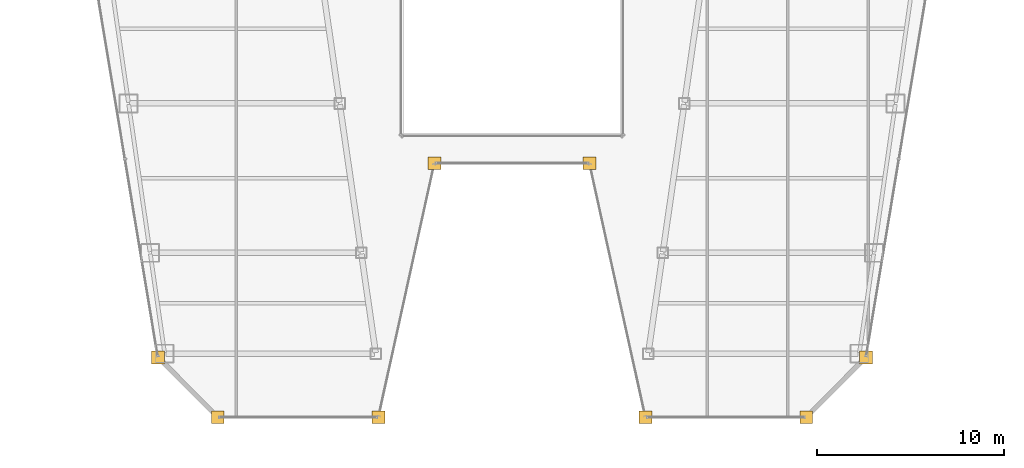
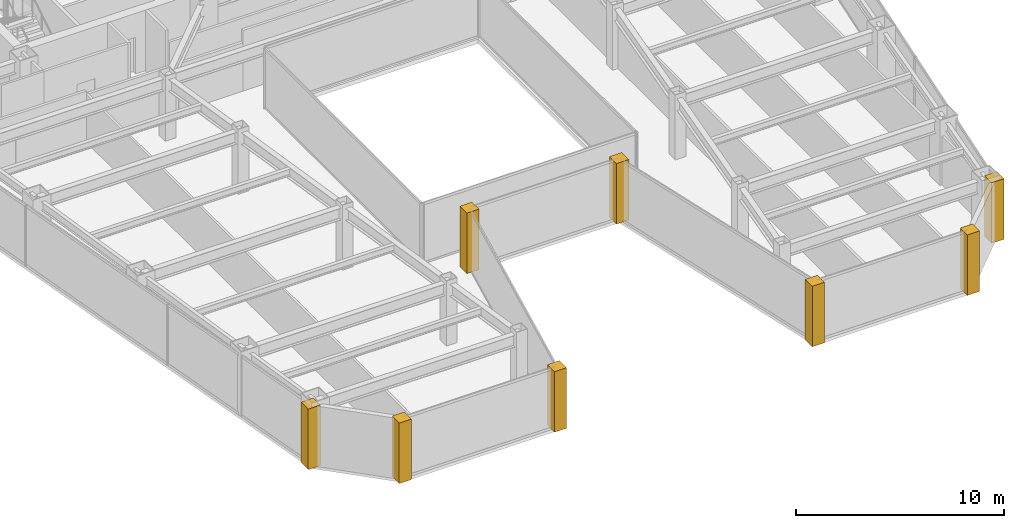
# One storey, part 35 of 37: 8 coverings.
"""IFC4 building model written with IfcOpenShell, lengths in metres."""

from ifc_helpers import new_model, si_unit, direction, frame, origin, place, context, subcontext, project, spatial, polyline, outline, extrude, material, layer, layer_set, type_object, element, save


model = new_model("IFC4")

# Units and contexts
model_context = context("Model", 3, precision=1e-05, world=origin(), true_north=direction((0.0, 1.0)))
body_context = subcontext(model_context, "Body", "Model", "MODEL_VIEW")
ifc_project = project(units=[si_unit("LENGTHUNIT", "METRE"), si_unit("AREAUNIT", "SQUARE_METRE"), si_unit("VOLUMEUNIT", "CUBIC_METRE"), si_unit("PLANEANGLEUNIT", "RADIAN"), si_unit("MASSUNIT", "GRAM", prefix="KILO")], contexts=[model_context])

# Site, building, storey
site_placement = place(None, origin())
site = spatial("IfcSite", under=ifc_project, at=site_placement, CompositionType="ELEMENT")
building_placement = place(site_placement, origin())
building = spatial("IfcBuilding", under=site, at=building_placement, Name="Saevonmaru Cultural Tower", CompositionType="ELEMENT")
storey_placement = place(building_placement, frame((0.0, 0.0, 141.0)))
storey = spatial("IfcBuildingStorey", under=building, at=storey_placement, Name="L30", CompositionType="ELEMENT", Elevation=141.0)

# Coverings
ifc_material = material(Name="Satin Bronze Anodised Aluminium", Category="aluminium")
ifc_layer = layer(ifc_material, 0.679931640625, Name="Satin Bronze Anodised Aluminium")
ifc_layer_set = layer_set([ifc_layer], Name="Satin Bronze Anodised Aluminium")
covering_type = type_object("IfcCoveringType", Name="CV-CORNER-CLAD", PredefinedType="CLADDING", material=ifc_layer_set)
covering_1_placement = place(storey_placement, origin())
element("IfcCovering", 1, at=covering_1_placement, inside=storey, type_object=covering_type, Name="L30 Tower Bronze Corner Cladding Pier 1", PredefinedType="CLADDING", context=body_context, shape_type="SweptSolid", body=[
    extrude(outline(polyline([(10.708984375, 10.06005859375), (11.388916015625, 10.06005859375), (11.388916015625, 10.739990234375), (10.708984375, 10.739990234375), (10.708984375, 10.06005859375)])), origin(), (0.0, 0.0, 1.0), 3.550048828125),
])
covering_2_placement = place(storey_placement, origin())
element("IfcCovering", 2, at=covering_2_placement, inside=storey, type_object=covering_type, Name="L30 Tower Bronze Corner Cladding Pier 2", PredefinedType="CLADDING", context=body_context, shape_type="SweptSolid", body=[
    extrude(outline(polyline([(13.908935546875, 6.860107421875), (14.589111328125, 6.860107421875), (14.589111328125, 7.5400390625), (13.908935546875, 7.5400390625), (13.908935546875, 6.860107421875)])), origin(), (0.0, 0.0, 1.0), 3.550048828125),
])
covering_3_placement = place(storey_placement, origin())
element("IfcCovering", 3, at=covering_3_placement, inside=storey, type_object=covering_type, Name="L30 Tower Bronze Corner Cladding Pier 3", PredefinedType="CLADDING", context=body_context, shape_type="SweptSolid", body=[
    extrude(outline(polyline([(22.509033203125, 6.860107421875), (23.18896484375, 6.860107421875), (23.18896484375, 7.5400390625), (22.509033203125, 7.5400390625), (22.509033203125, 6.860107421875)])), origin(), (0.0, 0.0, 1.0), 3.550048828125),
])
covering_4_placement = place(storey_placement, origin())
element("IfcCovering", 4, at=covering_4_placement, inside=storey, type_object=covering_type, Name="L30 Tower Bronze Corner Cladding Pier 4", PredefinedType="CLADDING", context=body_context, shape_type="SweptSolid", body=[
    extrude(outline(polyline([(25.509033203125, 20.4599609375), (26.18896484375, 20.4599609375), (26.18896484375, 21.139892578125), (25.509033203125, 21.139892578125), (25.509033203125, 20.4599609375)])), origin(), (0.0, 0.0, 1.0), 3.550048828125),
])
covering_5_placement = place(storey_placement, origin())
element("IfcCovering", 5, at=covering_5_placement, inside=storey, type_object=covering_type, Name="L30 Tower Bronze Corner Cladding Pier 5", PredefinedType="CLADDING", context=body_context, shape_type="SweptSolid", body=[
    extrude(outline(polyline([(33.81103515625, 20.4599609375), (34.490966796875, 20.4599609375), (34.490966796875, 21.139892578125), (33.81103515625, 21.139892578125), (33.81103515625, 20.4599609375)])), origin(), (0.0, 0.0, 1.0), 3.550048828125),
])
covering_6_placement = place(storey_placement, origin())
element("IfcCovering", 6, at=covering_6_placement, inside=storey, type_object=covering_type, Name="L30 Tower Bronze Corner Cladding Pier 6", PredefinedType="CLADDING", context=body_context, shape_type="SweptSolid", body=[
    extrude(outline(polyline([(36.81103515625, 6.860107421875), (37.490966796875, 6.860107421875), (37.490966796875, 7.5400390625), (36.81103515625, 7.5400390625), (36.81103515625, 6.860107421875)])), origin(), (0.0, 0.0, 1.0), 3.550048828125),
])
covering_7_placement = place(storey_placement, origin())
element("IfcCovering", 7, at=covering_7_placement, inside=storey, type_object=covering_type, Name="L30 Tower Bronze Corner Cladding Pier 7", PredefinedType="CLADDING", context=body_context, shape_type="SweptSolid", body=[
    extrude(outline(polyline([(45.410888671875, 6.860107421875), (46.091064453125, 6.860107421875), (46.091064453125, 7.5400390625), (45.410888671875, 7.5400390625), (45.410888671875, 6.860107421875)])), origin(), (0.0, 0.0, 1.0), 3.550048828125),
])
covering_8_placement = place(storey_placement, origin())
element("IfcCovering", 8, at=covering_8_placement, inside=storey, type_object=covering_type, Name="L30 Tower Bronze Corner Cladding Pier 8", PredefinedType="CLADDING", context=body_context, shape_type="SweptSolid", body=[
    extrude(outline(polyline([(48.611083984375, 10.06005859375), (49.291015625, 10.06005859375), (49.291015625, 10.739990234375), (48.611083984375, 10.739990234375), (48.611083984375, 10.06005859375)])), origin(), (0.0, 0.0, 1.0), 3.550048828125),
])

save(model, "model.ifc")
